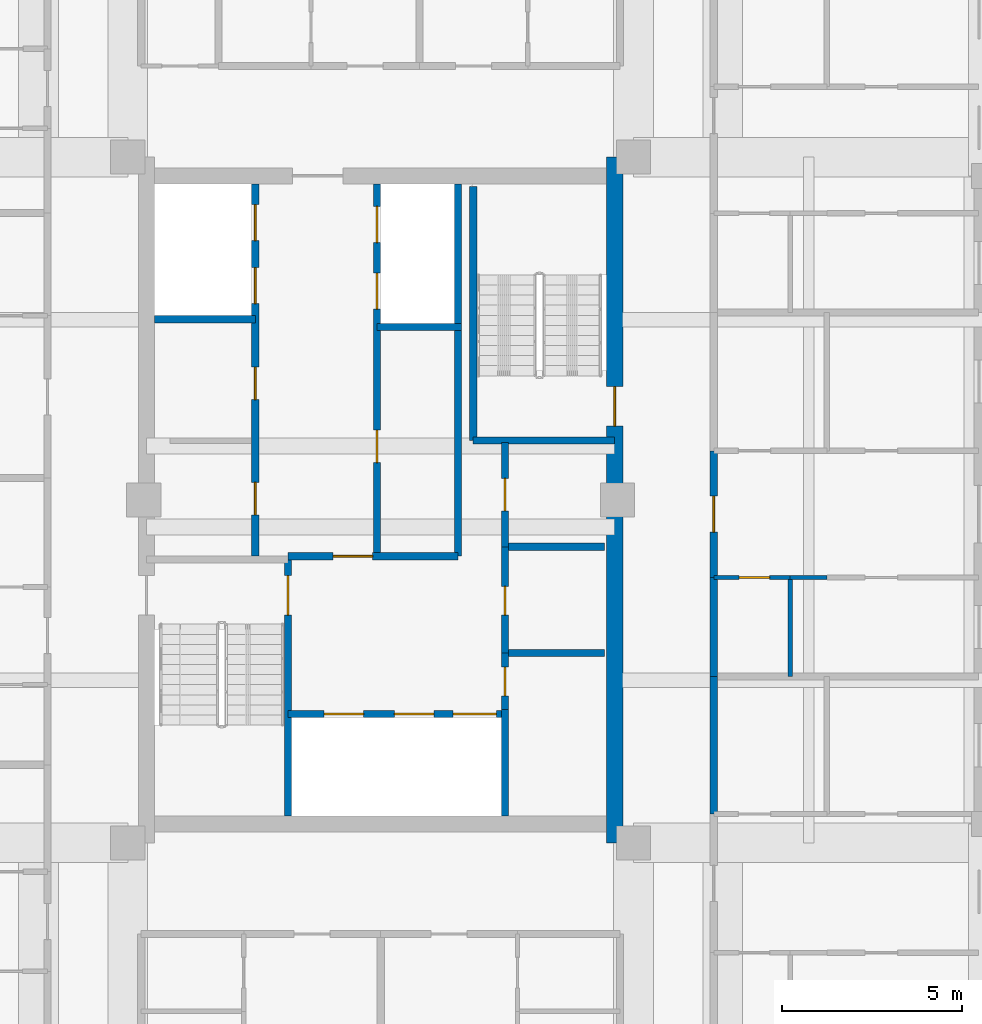
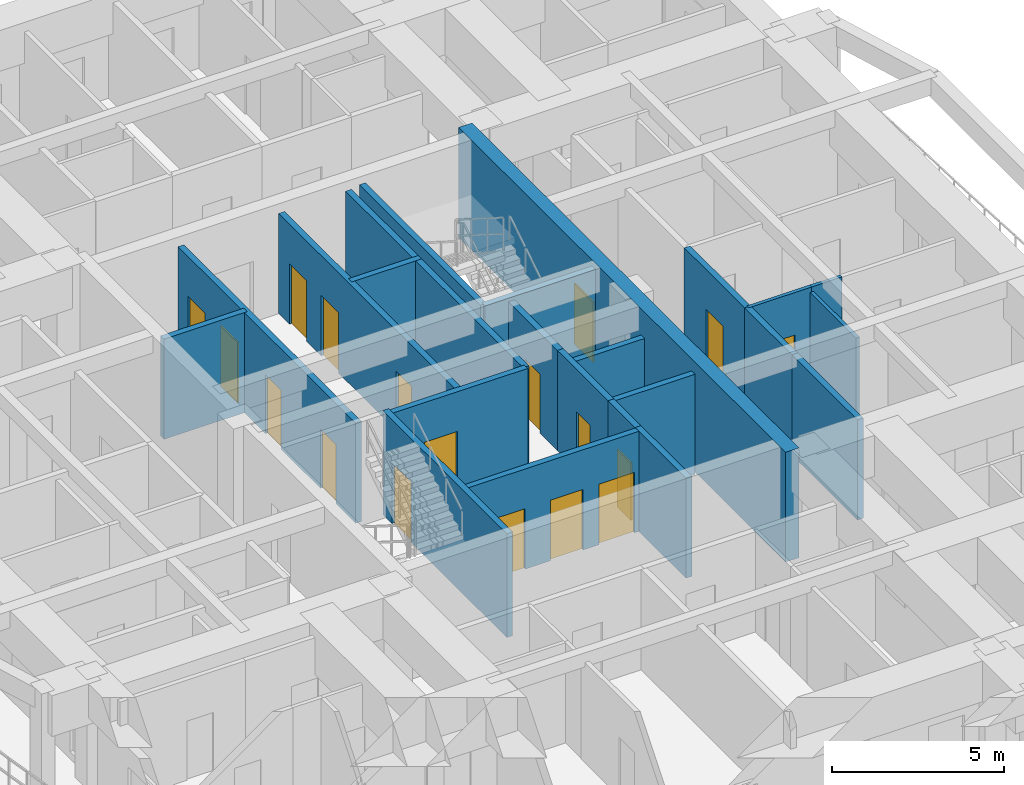
# One storey, part 18 of 27: 24 walls, 18 doors, 18 openings.
"""IFC4 building model written with IfcOpenShell, lengths in metres."""

from ifc_helpers import new_model, si_unit, direction, frame, frame_2d, origin, place, context, subcontext, project, spatial, rectangle, extrude, source, transform, mapped, material, layer, layer_set, type_object, element, fill, save


model = new_model("IFC4")

# Units and contexts
model_context = context("Model", 3, precision=1e-05, world=origin(), true_north=direction((0.0, 1.0)))
body_context = subcontext(model_context, "Body", "Model", "MODEL_VIEW")
ifc_project = project(units=[si_unit("LENGTHUNIT", "METRE"), si_unit("AREAUNIT", "SQUARE_METRE"), si_unit("VOLUMEUNIT", "CUBIC_METRE"), si_unit("PLANEANGLEUNIT", "RADIAN"), si_unit("MASSUNIT", "GRAM", prefix="KILO")], contexts=[model_context])

# Site, building, storey
site_placement = place(None, origin())
site = spatial("IfcSite", under=ifc_project, at=site_placement, CompositionType="ELEMENT")
building_placement = place(site_placement, origin())
building = spatial("IfcBuilding", under=site, at=building_placement, Name="Saelheon Loggia Tower", CompositionType="ELEMENT")
storey_placement = place(building_placement, frame((0.0, 0.0, 236.10009765625)))
storey = spatial("IfcBuildingStorey", under=building, at=storey_placement, Name="L73", CompositionType="ELEMENT", Elevation=236.10009765625)

# Wall, opening, door
ifc_material_1 = material(Name="Concrete C45/55", Category="concrete")
ifc_layer_1 = layer(ifc_material_1, 0.449951171875)
ifc_layer_set_1 = layer_set([ifc_layer_1], Name="Concrete C45/55")
wall_type_1 = type_object("IfcWallType", Name="Wall_CoreShear_450", PredefinedType="SHEAR", material=ifc_layer_set_1)
wall_1_placement = place(storey_placement, frame((44.5, 17.47998046875, 0.0), z_axis=(0.0, 0.0, 1.0), x_axis=(0.0, 1.0, 0.0)))
wall_1 = element("IfcWall", 1, at=wall_1_placement, inside=storey, type_object=wall_type_1, Name="L73 Core Shear Wall East", PredefinedType="SHEAR", context=body_context, shape_type="SweptSolid", body=[
    extrude(rectangle(XDim=19.0400390625, YDim=0.449951171875, at=frame_2d((9.52001953125, 0.0))), origin(), (0.0, 0.0, 1.0), 3.89990234375),
])
opening_1_placement = place(wall_1_placement, frame((12.670166015625, 0.0, 0.0), z_axis=(0.0, 0.0, 1.0), x_axis=(-1.0, 0.0, 0.0)))
opening_1 = element("IfcOpeningElement", 2, at=opening_1_placement, cuts=wall_1, Name="Opening D-FD2", PredefinedType="OPENING", context=body_context, shape_type="SweptSolid", body=[
    extrude(rectangle(XDim=1.10009765625, YDim=2.14990234375, at=frame_2d((0.550048828125, 1.074951171875))), frame((0.0, 0.237060546875, 0.0), z_axis=(0.0, -1.0, 0.0), x_axis=(1.0, 0.0, 0.0)), (0.0, 0.0, 1.0), 0.473876953125),
])
ifc_material_2 = material(Name="Galvanised Steel Fire Door", Category="steel")
door_type_1 = type_object("IfcDoorType", Name="Door_Fire_FD60_1100", OperationType="NOTDEFINED", PredefinedType="DOOR", material=ifc_material_2)
shared_shape_1 = source(origin(), body_context, "Body", "SweptSolid", [
    extrude(rectangle(XDim=1.10009765625, YDim=2.14990234375, at=frame_2d((0.550048828125, 1.074951171875))), frame((0.0, 0.02490234375, 0.0), z_axis=(0.0, -1.0, 0.0), x_axis=(1.0, 0.0, 0.0)), (0.0, 0.0, 1.0), 0.050048828125),
])
door_1_placement = place(opening_1_placement, origin())
door_1 = element("IfcDoor", 3, at=door_1_placement, inside=storey, type_object=door_type_1, Name="L73 Stair ST2 Corridor Door", OperationType="SINGLE_SWING_RIGHT", OverallHeight=2.14990234375, OverallWidth=1.10009765625, PredefinedType="DOOR", context=body_context, shape_type="MappedRepresentation", body=[
    mapped(shared_shape_1, transform((0.0, 0.0, 0.0), scale=1.0)),
])
fill(opening_1, door_1)

# Walls
ifc_material_3 = material(Name="Double Acoustic Stud and Fireboard Partition", Category="gypsum")
ifc_layer_2 = layer(ifc_material_3, 0.199951171875)
ifc_layer_set_2 = layer_set([ifc_layer_2], Name="Double Acoustic Stud and Fireboard Partition")
wall_type_2 = type_object("IfcWallType", Name="Wall_Party_200", PredefinedType="PARTITIONING", material=ifc_layer_set_2)
wall_2_placement = place(storey_placement, frame((47.25, 18.280029296875, 0.0), z_axis=(0.0, 0.0, 1.0), x_axis=(0.0, 1.0, 0.0)))
element("IfcWall", 4, at=wall_2_placement, inside=storey, type_object=wall_type_2, Name="L73 E Partition V05", PredefinedType="PARTITIONING", context=body_context, shape_type="SweptSolid", body=[
    extrude(rectangle(XDim=3.817626953125, YDim=0.199951171875, at=frame_2d((1.90869140625, 0.0))), origin(), (0.0, 0.0, 1.0), 3.559814453125),
])
wall_3_placement = place(storey_placement, frame((47.25, 22.09765625, 0.0), z_axis=(0.0, 0.0, 1.0), x_axis=(0.0, 1.0, 0.0)))
element("IfcWall", 5, at=wall_3_placement, inside=storey, type_object=wall_type_2, Name="L73 E Partition V14", PredefinedType="PARTITIONING", context=body_context, shape_type="SweptSolid", body=[
    extrude(rectangle(XDim=2.75, YDim=0.199951171875, at=frame_2d((1.375, 0.0))), origin(), (0.0, 0.0, 1.0), 3.559814453125),
])

# Wall, opening, door
wall_4_placement = place(storey_placement, frame((47.25, 24.84765625, 0.0), z_axis=(0.0, 0.0, 1.0), x_axis=(0.0, 1.0, 0.0)))
wall_4 = element("IfcWall", 6, at=wall_4_placement, inside=storey, type_object=wall_type_2, Name="L73 E Partition V15", PredefinedType="PARTITIONING", context=body_context, shape_type="SweptSolid", body=[
    extrude(rectangle(XDim=3.518798828125, YDim=0.199951171875, at=frame_2d((1.75927734375, 0.0))), origin(), (0.0, 0.0, 1.0), 3.559814453125),
])
opening_2_placement = place(wall_4_placement, frame((1.259521484375, 0.0, 0.0)))
opening_2 = element("IfcOpeningElement", 7, at=opening_2_placement, cuts=wall_4, Name="Opening D-FD1", PredefinedType="OPENING", context=body_context, shape_type="SweptSolid", body=[
    extrude(rectangle(XDim=1.0, YDim=2.14990234375, at=frame_2d((0.5, 1.074951171875))), frame((0.0, 0.112060546875, 0.0), z_axis=(0.0, -1.0, 0.0), x_axis=(1.0, 0.0, 0.0)), (0.0, 0.0, 1.0), 0.223876953125),
])
ifc_material_4 = material(Name="Fire-Rated Engineered Timber Entrance Door", Category="wood")
door_type_2 = type_object("IfcDoorType", Name="Door_Flat_FD30S", OperationType="NOTDEFINED", PredefinedType="DOOR", material=ifc_material_4)
shared_shape_2 = source(origin(), body_context, "Body", "SweptSolid", [
    extrude(rectangle(XDim=1.0, YDim=2.14990234375, at=frame_2d((0.5, 1.074951171875))), frame((0.0, 0.02490234375, 0.0), z_axis=(0.0, -1.0, 0.0), x_axis=(1.0, 0.0, 0.0)), (0.0, 0.0, 1.0), 0.050048828125),
])
door_2_placement = place(opening_2_placement, origin())
door_2 = element("IfcDoor", 8, at=door_2_placement, inside=storey, type_object=door_type_2, Name="Unit U10 Entrance Door", OperationType="SINGLE_SWING_LEFT", OverallHeight=2.14990234375, OverallWidth=1.0, PredefinedType="DOOR", context=body_context, shape_type="MappedRepresentation", body=[
    mapped(shared_shape_2, transform((0.0, 0.0, 0.0), scale=1.0)),
])
fill(opening_2, door_2)

# Walls
ifc_material_5 = material(Name="Concrete C40/50", Category="concrete")
ifc_layer_3 = layer(ifc_material_5, 0.199951171875)
ifc_layer_set_3 = layer_set([ifc_layer_3], Name="Concrete C40/50")
wall_type_3 = type_object("IfcWallType", Name="Wall_Shaft_200", PredefinedType="PARTITIONING", material=ifc_layer_set_3)
wall_5_placement = place(storey_placement, frame((41.550048828125, 22.75, 0.0), z_axis=(0.0, 0.0, 1.0), x_axis=(1.0, 0.0, 0.0)))
element("IfcWall", 9, at=wall_5_placement, inside=storey, type_object=wall_type_3, Name="CW-BOH-L73-H1", PredefinedType="PARTITIONING", context=body_context, shape_type="SweptSolid", body=[
    extrude(rectangle(XDim=2.669921875, YDim=0.199951171875, at=frame_2d((1.3349609375, 0.0))), origin(), (0.0, 0.0, 1.0), 3.559814453125),
])
wall_6_placement = place(storey_placement, frame((41.550048828125, 25.699951171875, 0.0), z_axis=(0.0, 0.0, 1.0), x_axis=(1.0, 0.0, 0.0)))
element("IfcWall", 10, at=wall_6_placement, inside=storey, type_object=wall_type_3, Name="CW-BOH-L73-H2", PredefinedType="PARTITIONING", context=body_context, shape_type="SweptSolid", body=[
    extrude(rectangle(XDim=2.669921875, YDim=0.199951171875, at=frame_2d((1.3349609375, 0.0))), origin(), (0.0, 0.0, 1.0), 3.039794921875),
])
wall_7_placement = place(storey_placement, frame((41.449951171875, 18.219970703125, 0.0), z_axis=(0.0, 0.0, 1.0), x_axis=(0.0, 1.0, 0.0)))
element("IfcWall", 11, at=wall_7_placement, inside=storey, type_object=wall_type_3, Name="CW-INT-L73-BOH-W0", PredefinedType="PARTITIONING", context=body_context, shape_type="SweptSolid", body=[
    extrude(rectangle(XDim=2.9599609375, YDim=0.199951171875, at=frame_2d((1.47998046875, 0.0))), origin(), (0.0, 0.0, 1.0), 3.559814453125),
])

# Wall, opening, door
wall_8_placement = place(storey_placement, frame((41.449951171875, 21.179931640625, 0.0), z_axis=(0.0, 0.0, 1.0), x_axis=(0.0, 1.0, 0.0)))
wall_8 = element("IfcWall", 12, at=wall_8_placement, inside=storey, type_object=wall_type_3, Name="CW-INT-L73-BOH-W1", PredefinedType="PARTITIONING", context=body_context, shape_type="SweptSolid", body=[
    extrude(rectangle(XDim=1.570068359375, YDim=0.199951171875, at=frame_2d((0.78515625, 0.0))), origin(), (0.0, 0.0, 1.0), 3.559814453125),
])
opening_3_placement = place(wall_8_placement, frame((0.3798828125, 0.0, 0.0)))
opening_3 = element("IfcOpeningElement", 13, at=opening_3_placement, cuts=wall_8, Name="Opening D-ST1", PredefinedType="OPENING", context=body_context, shape_type="SweptSolid", body=[
    extrude(rectangle(XDim=0.800048828125, YDim=2.050048828125, at=frame_2d((0.39990234375, 1.02490234375))), frame((0.0, 0.112060546875, 0.0), z_axis=(0.0, -1.0, 0.0), x_axis=(1.0, 0.0, 0.0)), (0.0, 0.0, 1.0), 0.223876953125),
])
ifc_material_6 = material(Name="Powder-Coated Steel Store Door", Category="steel")
door_type_3 = type_object("IfcDoorType", Name="Door_Store_800", OperationType="NOTDEFINED", PredefinedType="DOOR", material=ifc_material_6)
shared_shape_3 = source(origin(), body_context, "Body", "SweptSolid", [
    extrude(rectangle(XDim=0.800048828125, YDim=2.050048828125, at=frame_2d((0.39990234375, 1.02490234375))), frame((0.0, 0.02490234375, 0.0), z_axis=(0.0, -1.0, 0.0), x_axis=(1.0, 0.0, 0.0)), (0.0, 0.0, 1.0), 0.050048828125),
])
door_3_placement = place(opening_3_placement, origin())
door_3 = element("IfcDoor", 14, at=door_3_placement, inside=storey, type_object=door_type_3, Name="L73 Cleaner Store Door", OperationType="SINGLE_SWING_LEFT", OverallHeight=2.050048828125, OverallWidth=0.800048828125, PredefinedType="DOOR", context=body_context, shape_type="MappedRepresentation", body=[
    mapped(shared_shape_3, transform((0.0, 0.0, 0.0), scale=1.0)),
])
fill(opening_3, door_3)

wall_9_placement = place(storey_placement, frame((41.449951171875, 22.75, 0.0), z_axis=(0.0, 0.0, 1.0), x_axis=(0.0, 1.0, 0.0)))
wall_9 = element("IfcWall", 15, at=wall_9_placement, inside=storey, type_object=wall_type_3, Name="CW-INT-L73-BOH-W2", PredefinedType="PARTITIONING", context=body_context, shape_type="SweptSolid", body=[
    extrude(rectangle(XDim=2.949951171875, YDim=0.199951171875, at=frame_2d((1.47509765625, 0.0))), origin(), (0.0, 0.0, 1.0), 3.559814453125),
])
opening_4_placement = place(wall_9_placement, frame((1.050048828125, 0.0, 0.0)))
opening_4 = element("IfcOpeningElement", 16, at=opening_4_placement, cuts=wall_9, Name="Opening D-ST1", PredefinedType="OPENING", context=body_context, shape_type="SweptSolid", body=[
    extrude(rectangle(XDim=0.800048828125, YDim=2.050048828125, at=frame_2d((0.39990234375, 1.02490234375))), frame((0.0, 0.112060546875, 0.0), z_axis=(0.0, -1.0, 0.0), x_axis=(1.0, 0.0, 0.0)), (0.0, 0.0, 1.0), 0.223876953125),
])
door_4_placement = place(opening_4_placement, origin())
door_4 = element("IfcDoor", 17, at=door_4_placement, inside=storey, type_object=door_type_3, Name="L73 Electrical Riser Door", OperationType="SINGLE_SWING_RIGHT", OverallHeight=2.050048828125, OverallWidth=0.800048828125, PredefinedType="DOOR", context=body_context, shape_type="MappedRepresentation", body=[
    mapped(shared_shape_3, transform((0.0, 0.0, 0.0), scale=1.0)),
])
fill(opening_4, door_4)

wall_10_placement = place(storey_placement, frame((41.449951171875, 25.699951171875, 0.0), z_axis=(0.0, 0.0, 1.0), x_axis=(0.0, 1.0, 0.0)))
wall_10 = element("IfcWall", 18, at=wall_10_placement, inside=storey, type_object=wall_type_3, Name="CW-INT-L73-BOH-W3", PredefinedType="PARTITIONING", context=body_context, shape_type="SweptSolid", body=[
    extrude(rectangle(XDim=2.900146484375, YDim=0.199951171875, at=frame_2d((1.4501953125, 0.0))), origin(), (0.0, 0.0, 1.0), 3.559814453125),
])
opening_5_placement = place(wall_10_placement, frame((1.0, 0.0, 0.0)))
opening_5 = element("IfcOpeningElement", 19, at=opening_5_placement, cuts=wall_10, Name="Opening D-RS1", PredefinedType="OPENING", context=body_context, shape_type="SweptSolid", body=[
    extrude(rectangle(XDim=0.89990234375, YDim=2.10009765625, at=frame_2d((0.449951171875, 1.050048828125))), frame((0.0, 0.112060546875, 0.0), z_axis=(0.0, -1.0, 0.0), x_axis=(1.0, 0.0, 0.0)), (0.0, 0.0, 1.0), 0.223876953125),
])
ifc_material_7 = material(Name="Galvanised Steel Riser Access Door", Category="steel")
door_type_4 = type_object("IfcDoorType", Name="Door_Riser_FD60", OperationType="NOTDEFINED", PredefinedType="DOOR", material=ifc_material_7)
shared_shape_4 = source(origin(), body_context, "Body", "SweptSolid", [
    extrude(rectangle(XDim=0.89990234375, YDim=2.10009765625, at=frame_2d((0.449951171875, 1.050048828125))), frame((0.0, 0.02490234375, 0.0), z_axis=(0.0, -1.0, 0.0), x_axis=(1.0, 0.0, 0.0)), (0.0, 0.0, 1.0), 0.050048828125),
])
door_5_placement = place(opening_5_placement, origin())
door_5 = element("IfcDoor", 20, at=door_5_placement, inside=storey, type_object=door_type_4, Name="L73 Floor IT Room Door", OperationType="SINGLE_SWING_LEFT", OverallHeight=2.10009765625, OverallWidth=0.89990234375, PredefinedType="DOOR", context=body_context, shape_type="MappedRepresentation", body=[
    mapped(shared_shape_4, transform((0.0, 0.0, 0.0), scale=1.0)),
])
fill(opening_5, door_5)

# Walls
wall_11_placement = place(storey_placement, frame((40.14990234375, 25.43994140625, 0.0), z_axis=(0.0, 0.0, 1.0), x_axis=(0.0, 1.0, 0.0)))
element("IfcWall", 21, at=wall_11_placement, inside=storey, type_object=wall_type_3, Name="L73 Core Service Passage West Wall", PredefinedType="PARTITIONING", context=body_context, shape_type="SweptSolid", body=[
    extrude(rectangle(XDim=6.360107421875, YDim=0.199951171875, at=frame_2d((3.18017578125, 0.0))), origin(), (0.0, 0.0, 1.0), 3.559814453125),
])
wall_12_placement = place(storey_placement, frame((40.14990234375, 31.800048828125, 0.0), z_axis=(0.0, 0.0, 1.0), x_axis=(0.0, 1.0, 0.0)))
element("IfcWall", 22, at=wall_12_placement, inside=storey, type_object=wall_type_3, Name="L73 East High-Rise Hoistway East Wall", PredefinedType="PARTITIONING", context=body_context, shape_type="SweptSolid", body=[
    extrude(rectangle(XDim=3.97998046875, YDim=0.199951171875, at=frame_2d((1.989990234375, 0.0))), origin(), (0.0, 0.0, 1.0), 3.559814453125),
])

# Wall, openings, doors
wall_13_placement = place(storey_placement, frame((35.429931640625, 21.06005859375, 0.0), z_axis=(0.0, 0.0, 1.0), x_axis=(1.0, 0.0, 0.0)))
wall_13 = element("IfcWall", 23, at=wall_13_placement, inside=storey, type_object=wall_type_3, Name="L73 Firefighting Lift Shaft Front Wall", PredefinedType="PARTITIONING", context=body_context, shape_type="SweptSolid", body=[
    extrude(rectangle(XDim=6.02001953125, YDim=0.199951171875, at=frame_2d((3.010009765625, 0.0))), origin(), (0.0, 0.0, 1.0), 3.559814453125),
])
opening_6_placement = place(wall_13_placement, frame((1.0, 0.0, 0.0)))
opening_6 = element("IfcOpeningElement", 24, at=opening_6_placement, cuts=wall_13, Name="Opening LD2", PredefinedType="OPENING", context=body_context, shape_type="SweptSolid", body=[
    extrude(rectangle(XDim=1.10009765625, YDim=2.14990234375, at=frame_2d((0.550048828125, 1.074951171875))), frame((0.0, 0.112060546875, 0.0), z_axis=(0.0, -1.0, 0.0), x_axis=(1.0, 0.0, 0.0)), (0.0, 0.0, 1.0), 0.223876953125),
])
opening_7_placement = place(wall_13_placement, frame((2.949951171875, 0.0, 0.0)))
opening_7 = element("IfcOpeningElement", 25, at=opening_7_placement, cuts=wall_13, Name="Opening LD2", PredefinedType="OPENING", context=body_context, shape_type="SweptSolid", body=[
    extrude(rectangle(XDim=1.10009765625, YDim=2.14990234375, at=frame_2d((0.550048828125, 1.074951171875))), frame((0.0, 0.112060546875, 0.0), z_axis=(0.0, -1.0, 0.0), x_axis=(1.0, 0.0, 0.0)), (0.0, 0.0, 1.0), 0.223876953125),
])
opening_8_placement = place(wall_13_placement, frame((4.580078125, 0.0, 0.0)))
opening_8 = element("IfcOpeningElement", 26, at=opening_8_placement, cuts=wall_13, Name="Opening LD3", PredefinedType="OPENING", context=body_context, shape_type="SweptSolid", body=[
    extrude(rectangle(XDim=1.199951171875, YDim=2.14990234375, at=frame_2d((0.60009765625, 1.074951171875))), frame((0.0, 0.112060546875, 0.0), z_axis=(0.0, -1.0, 0.0), x_axis=(1.0, 0.0, 0.0)), (0.0, 0.0, 1.0), 0.223876953125),
])
ifc_material_8 = material(Name="Firefighting Stainless Steel 316 Landing Door", Category="steel")
door_type_5 = type_object("IfcDoorType", Name="Door_Lift_LD2", OperationType="DOUBLE_DOOR_SLIDING", PredefinedType="DOOR", material=ifc_material_8)
door_6_placement = place(opening_6_placement, origin())
door_6 = element("IfcDoor", 27, at=door_6_placement, inside=storey, type_object=door_type_5, Name="L73 FF1 Landing Door", OperationType="DOUBLE_DOOR_SLIDING", OverallHeight=2.14990234375, OverallWidth=1.10009765625, PredefinedType="DOOR", context=body_context, shape_type="MappedRepresentation", body=[
    mapped(shared_shape_1, transform((0.0, 0.0, 0.0), scale=1.0)),
])
fill(opening_6, door_6)
door_7_placement = place(opening_7_placement, origin())
door_7 = element("IfcDoor", 28, at=door_7_placement, inside=storey, type_object=door_type_5, Name="L73 FF2 Landing Door", OperationType="DOUBLE_DOOR_SLIDING", OverallHeight=2.14990234375, OverallWidth=1.10009765625, PredefinedType="DOOR", context=body_context, shape_type="MappedRepresentation", body=[
    mapped(shared_shape_1, transform((0.0, 0.0, 0.0), scale=1.0)),
])
fill(opening_7, door_7)
ifc_material_9 = material(Name="Stretcher Lift Stainless Steel 304 Landing Door", Category="steel")
door_type_6 = type_object("IfcDoorType", Name="Door_Lift_LD3", OperationType="DOUBLE_DOOR_SLIDING", PredefinedType="DOOR", material=ifc_material_9)
shared_shape_5 = source(origin(), body_context, "Body", "SweptSolid", [
    extrude(rectangle(XDim=1.199951171875, YDim=2.14990234375, at=frame_2d((0.60009765625, 1.074951171875))), frame((0.0, 0.02490234375, 0.0), z_axis=(0.0, -1.0, 0.0), x_axis=(1.0, 0.0, 0.0)), (0.0, 0.0, 1.0), 0.050048828125),
])
door_8_placement = place(opening_8_placement, origin())
door_8 = element("IfcDoor", 29, at=door_8_placement, inside=storey, type_object=door_type_6, Name="L73 SV1 Landing Door", OperationType="DOUBLE_DOOR_SLIDING", OverallHeight=2.14990234375, OverallWidth=1.199951171875, PredefinedType="DOOR", context=body_context, shape_type="MappedRepresentation", body=[
    mapped(shared_shape_5, transform((0.0, 0.0, 0.0), scale=1.0)),
])
fill(opening_8, door_8)

# Wall, opening, door
wall_14_placement = place(storey_placement, frame((35.429931640625, 25.43994140625, 0.0), z_axis=(0.0, 0.0, 1.0), x_axis=(1.0, 0.0, 0.0)))
wall_14 = element("IfcWall", 30, at=wall_14_placement, inside=storey, type_object=wall_type_3, Name="L73 Firefighting Lobby Compartment Wall", PredefinedType="PARTITIONING", context=body_context, shape_type="SweptSolid", body=[
    extrude(rectangle(XDim=4.719970703125, YDim=0.199951171875, at=frame_2d((2.35986328125, 0.0))), origin(), (0.0, 0.0, 1.0), 3.559814453125),
])
opening_9_placement = place(wall_14_placement, frame((1.25, 0.0, 0.0)))
opening_9 = element("IfcOpeningElement", 31, at=opening_9_placement, cuts=wall_14, Name="Opening D-FD2", PredefinedType="OPENING", context=body_context, shape_type="SweptSolid", body=[
    extrude(rectangle(XDim=1.10009765625, YDim=2.14990234375, at=frame_2d((0.550048828125, 1.074951171875))), frame((0.0, 0.112060546875, 0.0), z_axis=(0.0, -1.0, 0.0), x_axis=(1.0, 0.0, 0.0)), (0.0, 0.0, 1.0), 0.223876953125),
])
door_9_placement = place(opening_9_placement, origin())
door_9 = element("IfcDoor", 32, at=door_9_placement, inside=storey, type_object=door_type_1, Name="L73 Firefighting Lobby Door", OperationType="SINGLE_SWING_RIGHT", OverallHeight=2.14990234375, OverallWidth=1.10009765625, PredefinedType="DOOR", context=body_context, shape_type="MappedRepresentation", body=[
    mapped(shared_shape_1, transform((0.0, 0.0, 0.0), scale=1.0)),
])
fill(opening_9, door_9)

# Wall, openings, doors
wall_15_placement = place(storey_placement, frame((34.52001953125, 25.43994140625, 0.0), z_axis=(0.0, 0.0, 1.0), x_axis=(0.0, 1.0, 0.0)))
wall_15 = element("IfcWall", 33, at=wall_15_placement, inside=storey, type_object=wall_type_3, Name="L73 West Passenger Lift Bank Wall", PredefinedType="PARTITIONING", context=body_context, shape_type="SweptSolid", body=[
    extrude(rectangle(XDim=10.340087890625, YDim=0.199951171875, at=frame_2d((5.169921875, 0.0))), origin(), (0.0, 0.0, 1.0), 3.559814453125),
])
opening_10_placement = place(wall_15_placement, frame((1.14990234375, 0.0, 0.0)))
opening_10 = element("IfcOpeningElement", 34, at=opening_10_placement, cuts=wall_15, Name="Opening D-RS1", PredefinedType="OPENING", context=body_context, shape_type="SweptSolid", body=[
    extrude(rectangle(XDim=0.89990234375, YDim=2.10009765625, at=frame_2d((0.449951171875, 1.050048828125))), frame((0.0, 0.112060546875, 0.0), z_axis=(0.0, -1.0, 0.0), x_axis=(1.0, 0.0, 0.0)), (0.0, 0.0, 1.0), 0.223876953125),
])
opening_11_placement = place(wall_15_placement, frame((4.35009765625, 0.0, 0.0)))
opening_11 = element("IfcOpeningElement", 35, at=opening_11_placement, cuts=wall_15, Name="Opening D-RS1", PredefinedType="OPENING", context=body_context, shape_type="SweptSolid", body=[
    extrude(rectangle(XDim=0.89990234375, YDim=2.10009765625, at=frame_2d((0.449951171875, 1.050048828125))), frame((0.0, 0.112060546875, 0.0), z_axis=(0.0, -1.0, 0.0), x_axis=(1.0, 0.0, 0.0)), (0.0, 0.0, 1.0), 0.223876953125),
])
opening_12_placement = place(wall_15_placement, frame((7.010009765625, 0.0, 0.0)))
opening_12 = element("IfcOpeningElement", 36, at=opening_12_placement, cuts=wall_15, Name="Opening LD1", PredefinedType="OPENING", context=body_context, shape_type="SweptSolid", body=[
    extrude(rectangle(XDim=1.0, YDim=2.14990234375, at=frame_2d((0.5, 1.074951171875))), frame((0.0, 0.112060546875, 0.0), z_axis=(0.0, -1.0, 0.0), x_axis=(1.0, 0.0, 0.0)), (0.0, 0.0, 1.0), 0.223876953125),
])
opening_13_placement = place(wall_15_placement, frame((8.760009765625, 0.0, 0.0)))
opening_13 = element("IfcOpeningElement", 37, at=opening_13_placement, cuts=wall_15, Name="Opening LD1", PredefinedType="OPENING", context=body_context, shape_type="SweptSolid", body=[
    extrude(rectangle(XDim=1.0, YDim=2.14990234375, at=frame_2d((0.5, 1.074951171875))), frame((0.0, 0.112060546875, 0.0), z_axis=(0.0, -1.0, 0.0), x_axis=(1.0, 0.0, 0.0)), (0.0, 0.0, 1.0), 0.223876953125),
])
door_10_placement = place(opening_10_placement, origin())
door_10 = element("IfcDoor", 38, at=door_10_placement, inside=storey, type_object=door_type_4, Name="L73 Parcel Store Door", OperationType="SINGLE_SWING_RIGHT", OverallHeight=2.10009765625, OverallWidth=0.89990234375, PredefinedType="DOOR", context=body_context, shape_type="MappedRepresentation", body=[
    mapped(shared_shape_4, transform((0.0, 0.0, 0.0), scale=1.0)),
])
fill(opening_10, door_10)
door_11_placement = place(opening_11_placement, origin())
door_11 = element("IfcDoor", 39, at=door_11_placement, inside=storey, type_object=door_type_4, Name="L73 Smart Metering Door", OperationType="SINGLE_SWING_LEFT", OverallHeight=2.10009765625, OverallWidth=0.89990234375, PredefinedType="DOOR", context=body_context, shape_type="MappedRepresentation", body=[
    mapped(shared_shape_4, transform((0.0, 0.0, 0.0), scale=1.0)),
])
fill(opening_11, door_11)
ifc_material_10 = material(Name="Brushed Stainless Steel 304 Landing Door", Category="steel")
door_type_7 = type_object("IfcDoorType", Name="Door_Lift_LD1", OperationType="DOUBLE_DOOR_SLIDING", PredefinedType="DOOR", material=ifc_material_10)
door_12_placement = place(opening_12_placement, origin())
door_12 = element("IfcDoor", 40, at=door_12_placement, inside=storey, type_object=door_type_7, Name="L73 PH1 Landing Door", OperationType="DOUBLE_DOOR_SLIDING", OverallHeight=2.14990234375, OverallWidth=1.0, PredefinedType="DOOR", context=body_context, shape_type="MappedRepresentation", body=[
    mapped(shared_shape_2, transform((0.0, 0.0, 0.0), scale=1.0)),
])
fill(opening_12, door_12)
door_13_placement = place(opening_13_placement, origin())
door_13 = element("IfcDoor", 41, at=door_13_placement, inside=storey, type_object=door_type_7, Name="L73 PH2 Landing Door", OperationType="DOUBLE_DOOR_SLIDING", OverallHeight=2.14990234375, OverallWidth=1.0, PredefinedType="DOOR", context=body_context, shape_type="MappedRepresentation", body=[
    mapped(shared_shape_2, transform((0.0, 0.0, 0.0), scale=1.0)),
])
fill(opening_13, door_13)

# Wall
wall_16_placement = place(storey_placement, frame((31.719970703125, 32.02001953125, 0.0), z_axis=(0.0, 0.0, 1.0), x_axis=(1.0, 0.0, 0.0)))
element("IfcWall", 42, at=wall_16_placement, inside=storey, type_object=wall_type_3, Name="L73 West High-Rise Shaft Divider", PredefinedType="PARTITIONING", context=body_context, shape_type="SweptSolid", body=[
    extrude(rectangle(XDim=2.800048828125, YDim=0.199951171875, at=frame_2d((1.39990234375, 0.0))), origin(), (0.0, 0.0, 1.0), 3.559814453125),
])

# Wall, openings, doors
wall_17_placement = place(storey_placement, frame((37.89990234375, 25.43994140625, 0.0), z_axis=(0.0, 0.0, 1.0), x_axis=(0.0, 1.0, 0.0)))
wall_17 = element("IfcWall", 43, at=wall_17_placement, inside=storey, type_object=wall_type_3, Name="L73 East Passenger Lift Bank Wall", PredefinedType="PARTITIONING", context=body_context, shape_type="SweptSolid", body=[
    extrude(rectangle(XDim=10.340087890625, YDim=0.199951171875, at=frame_2d((5.169921875, 0.0))), origin(), (0.0, 0.0, 1.0), 3.559814453125),
])
opening_14_placement = place(wall_17_placement, frame((2.60009765625, 0.0, 0.0)))
opening_14 = element("IfcOpeningElement", 44, at=opening_14_placement, cuts=wall_17, Name="Opening D-RS1", PredefinedType="OPENING", context=body_context, shape_type="SweptSolid", body=[
    extrude(rectangle(XDim=0.89990234375, YDim=2.10009765625, at=frame_2d((0.449951171875, 1.050048828125))), frame((0.0, 0.112060546875, 0.0), z_axis=(0.0, -1.0, 0.0), x_axis=(1.0, 0.0, 0.0)), (0.0, 0.0, 1.0), 0.223876953125),
])
opening_15_placement = place(wall_17_placement, frame((6.860107421875, 0.0, 0.0)))
opening_15 = element("IfcOpeningElement", 45, at=opening_15_placement, cuts=wall_17, Name="Opening LD1", PredefinedType="OPENING", context=body_context, shape_type="SweptSolid", body=[
    extrude(rectangle(XDim=1.0, YDim=2.14990234375, at=frame_2d((0.5, 1.074951171875))), frame((0.0, 0.112060546875, 0.0), z_axis=(0.0, -1.0, 0.0), x_axis=(1.0, 0.0, 0.0)), (0.0, 0.0, 1.0), 0.223876953125),
])
opening_16_placement = place(wall_17_placement, frame((8.7099609375, 0.0, 0.0)))
opening_16 = element("IfcOpeningElement", 46, at=opening_16_placement, cuts=wall_17, Name="Opening LD1", PredefinedType="OPENING", context=body_context, shape_type="SweptSolid", body=[
    extrude(rectangle(XDim=1.0, YDim=2.14990234375, at=frame_2d((0.5, 1.074951171875))), frame((0.0, 0.112060546875, 0.0), z_axis=(0.0, -1.0, 0.0), x_axis=(1.0, 0.0, 0.0)), (0.0, 0.0, 1.0), 0.223876953125),
])
door_14_placement = place(opening_14_placement, origin())
door_14 = element("IfcDoor", 47, at=door_14_placement, inside=storey, type_object=door_type_4, Name="L73 Upper Storage Room Door", OperationType="SINGLE_SWING_RIGHT", OverallHeight=2.10009765625, OverallWidth=0.89990234375, PredefinedType="DOOR", context=body_context, shape_type="MappedRepresentation", body=[
    mapped(shared_shape_4, transform((0.0, 0.0, 0.0), scale=1.0)),
])
fill(opening_14, door_14)
door_15_placement = place(opening_15_placement, origin())
door_15 = element("IfcDoor", 48, at=door_15_placement, inside=storey, type_object=door_type_7, Name="L73 PH3 Landing Door", OperationType="DOUBLE_DOOR_SLIDING", OverallHeight=2.14990234375, OverallWidth=1.0, PredefinedType="DOOR", context=body_context, shape_type="MappedRepresentation", body=[
    mapped(shared_shape_2, transform((0.0, 0.0, 0.0), scale=1.0)),
])
fill(opening_15, door_15)
door_16_placement = place(opening_16_placement, origin())
door_16 = element("IfcDoor", 49, at=door_16_placement, inside=storey, type_object=door_type_7, Name="L73 PH4 Landing Door", OperationType="DOUBLE_DOOR_SLIDING", OverallHeight=2.14990234375, OverallWidth=1.0, PredefinedType="DOOR", context=body_context, shape_type="MappedRepresentation", body=[
    mapped(shared_shape_2, transform((0.0, 0.0, 0.0), scale=1.0)),
])
fill(opening_16, door_16)

# Wall
wall_18_placement = place(storey_placement, frame((37.89990234375, 31.800048828125, 0.0), z_axis=(0.0, 0.0, 1.0), x_axis=(1.0, 0.0, 0.0)))
element("IfcWall", 50, at=wall_18_placement, inside=storey, type_object=wall_type_3, Name="L73 East High-Rise Shaft Divider", PredefinedType="PARTITIONING", context=body_context, shape_type="SweptSolid", body=[
    extrude(rectangle(XDim=2.35009765625, YDim=0.199951171875, at=frame_2d((1.175048828125, 0.0))), origin(), (0.0, 0.0, 1.0), 3.559814453125),
])

# Wall, opening, door
ifc_layer_4 = layer(ifc_material_1, 0.199951171875)
ifc_layer_set_4 = layer_set([ifc_layer_4], Name="Concrete C45/55")
wall_type_4 = type_object("IfcWallType", Name="Wall_StairShaft_RC200", PredefinedType="SOLIDWALL", material=ifc_layer_set_4)
wall_19_placement = place(storey_placement, frame((35.429931640625, 18.219970703125, 0.0), z_axis=(0.0, 0.0, 1.0), x_axis=(0.0, 1.0, 0.0)))
wall_19 = element("IfcWall", 51, at=wall_19_placement, inside=storey, type_object=wall_type_4, Name="L73 Stair ST1 Shaft Wall", PredefinedType="SOLIDWALL", context=body_context, shape_type="SweptSolid", body=[
    extrude(rectangle(XDim=7.219970703125, YDim=0.199951171875, at=frame_2d((3.60986328125, 0.0))), origin(), (0.0, 0.0, 1.0), 3.68994140625),
])
opening_17_placement = place(wall_19_placement, frame((6.68017578125, 0.0, 0.0), z_axis=(0.0, 0.0, 1.0), x_axis=(-1.0, 0.0, 0.0)))
opening_17 = element("IfcOpeningElement", 52, at=opening_17_placement, cuts=wall_19, Name="Opening D-FD2", PredefinedType="OPENING", context=body_context, shape_type="SweptSolid", body=[
    extrude(rectangle(XDim=1.10009765625, YDim=2.14990234375, at=frame_2d((0.550048828125, 1.074951171875))), frame((0.0, 0.112060546875, 0.0), z_axis=(0.0, -1.0, 0.0), x_axis=(1.0, 0.0, 0.0)), (0.0, 0.0, 1.0), 0.223876953125),
])
door_17_placement = place(opening_17_placement, origin())
door_17 = element("IfcDoor", 53, at=door_17_placement, inside=storey, type_object=door_type_1, Name="L73 Stair ST1 Lobby Door", OperationType="SINGLE_SWING_LEFT", OverallHeight=2.14990234375, OverallWidth=1.10009765625, PredefinedType="DOOR", context=body_context, shape_type="MappedRepresentation", body=[
    mapped(shared_shape_1, transform((0.0, 0.0, 0.0), scale=1.0)),
])
fill(opening_17, door_17)

# Walls
wall_20_placement = place(storey_placement, frame((40.570068359375, 28.64990234375, 0.0), z_axis=(0.0, 0.0, 1.0), x_axis=(0.0, 1.0, 0.0)))
element("IfcWall", 54, at=wall_20_placement, inside=storey, type_object=wall_type_4, Name="L73 Stair ST2 Shaft Wall", PredefinedType="SOLIDWALL", context=body_context, shape_type="SweptSolid", body=[
    extrude(rectangle(XDim=7.050048828125, YDim=0.199951171875, at=frame_2d((3.52490234375, 0.0))), origin(), (0.0, 0.0, 1.0), 3.68994140625),
])
wall_21_placement = place(storey_placement, frame((40.570068359375, 28.64990234375, 0.0), z_axis=(0.0, 0.0, 1.0), x_axis=(1.0, 0.0, 0.0)))
element("IfcWall", 55, at=wall_21_placement, inside=storey, type_object=wall_type_4, Name="L73 Stair ST2 South Wall", PredefinedType="SOLIDWALL", context=body_context, shape_type="SweptSolid", body=[
    extrude(rectangle(XDim=3.929931640625, YDim=0.199951171875, at=frame_2d((1.96484375, 0.0))), origin(), (0.0, 0.0, 1.0), 3.68994140625),
])
ifc_material_11 = material(Name="Moisture-Resistant Cement Board Partition", Category="gypsum")
ifc_layer_5 = layer(ifc_material_11, 0.1201171875)
ifc_layer_set_5 = layer_set([ifc_layer_5], Name="Moisture-Resistant Cement Board Partition")
wall_type_5 = type_object("IfcWallType", Name="Wall_WetPart_120", PredefinedType="PARTITIONING", material=ifc_layer_set_5)
wall_22_placement = place(storey_placement, frame((49.3701171875, 22.09765625, 0.0), z_axis=(0.0, 0.0, 1.0), x_axis=(0.0, 1.0, 0.0)))
element("IfcWall", 56, at=wall_22_placement, inside=storey, type_object=wall_type_5, Name="L73 E Partition V17", PredefinedType="PARTITIONING", context=body_context, shape_type="SweptSolid", body=[
    extrude(rectangle(XDim=2.75, YDim=0.1201171875, at=frame_2d((1.375, 0.0))), origin(), (0.0, 0.0, 1.0), 3.389892578125),
])

# Wall, opening, door
wall_23_placement = place(storey_placement, frame((47.25, 24.84765625, 0.0), z_axis=(0.0, 0.0, 1.0), x_axis=(1.0, 0.0, 0.0)))
wall_23 = element("IfcWall", 57, at=wall_23_placement, inside=storey, type_object=wall_type_5, Name="L73 E Partition U19", PredefinedType="PARTITIONING", context=body_context, shape_type="SweptSolid", body=[
    extrude(rectangle(XDim=2.1201171875, YDim=0.1201171875, at=frame_2d((1.06005859375, 0.0))), origin(), (0.0, 0.0, 1.0), 3.559814453125),
])
opening_18_placement = place(wall_23_placement, frame((0.70068359375, 0.0, 0.0)))
opening_18 = element("IfcOpeningElement", 58, at=opening_18_placement, cuts=wall_23, Name="Opening D-BT1", PredefinedType="OPENING", context=body_context, shape_type="SweptSolid", body=[
    extrude(rectangle(XDim=0.85009765625, YDim=2.050048828125, at=frame_2d((0.425048828125, 1.02490234375))), frame((0.0, 0.072021484375, 0.0), z_axis=(0.0, -1.0, 0.0), x_axis=(1.0, 0.0, 0.0)), (0.0, 0.0, 1.0), 0.14404296875),
])
ifc_material_12 = material(Name="Moisture-Resistant Laminate Timber Door", Category="wood")
door_type_8 = type_object("IfcDoorType", Name="Door_Bath_850", OperationType="NOTDEFINED", PredefinedType="DOOR", material=ifc_material_12)
shared_shape_6 = source(origin(), body_context, "Body", "SweptSolid", [
    extrude(rectangle(XDim=0.85009765625, YDim=2.050048828125, at=frame_2d((0.425048828125, 1.02490234375))), frame((0.0, 0.02490234375, 0.0), z_axis=(0.0, -1.0, 0.0), x_axis=(1.0, 0.0, 0.0)), (0.0, 0.0, 1.0), 0.050048828125),
])
door_18_placement = place(opening_18_placement, origin())
door_18 = element("IfcDoor", 59, at=door_18_placement, inside=storey, type_object=door_type_8, Name="Unit U10 Bathroom Door", OperationType="SINGLE_SWING_RIGHT", OverallHeight=2.050048828125, OverallWidth=0.85009765625, PredefinedType="DOOR", context=body_context, shape_type="MappedRepresentation", body=[
    mapped(shared_shape_6, transform((0.0, 0.0, 0.0), scale=1.0)),
])
fill(opening_18, door_18)

# Wall
wall_24_placement = place(storey_placement, frame((49.3701171875, 24.84765625, 0.0), z_axis=(0.0, 0.0, 1.0), x_axis=(1.0, 0.0, 0.0)))
element("IfcWall", 60, at=wall_24_placement, inside=storey, type_object=wall_type_5, Name="L73 E Partition U20", PredefinedType="PARTITIONING", context=body_context, shape_type="SweptSolid", body=[
    extrude(rectangle(XDim=1.019775390625, YDim=0.1201171875, at=frame_2d((0.509765625, 0.0))), origin(), (0.0, 0.0, 1.0), 3.559814453125),
])

save(model, "model.ifc")
